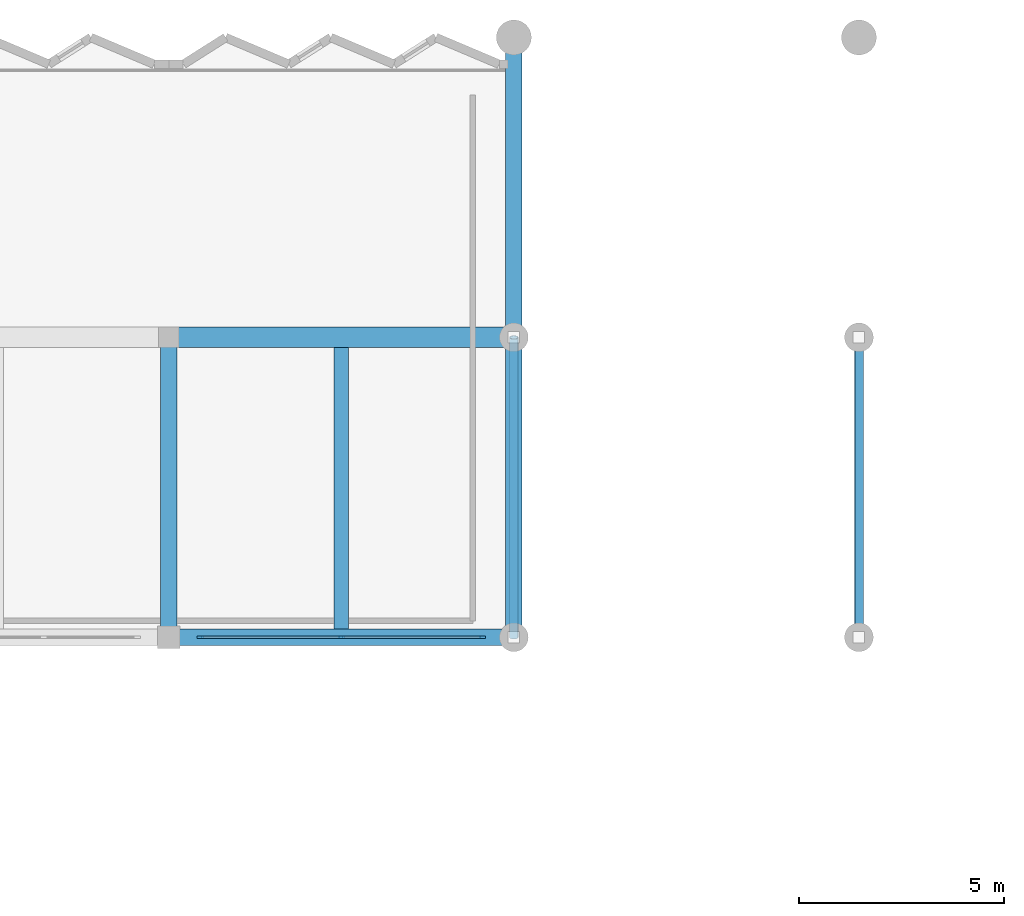
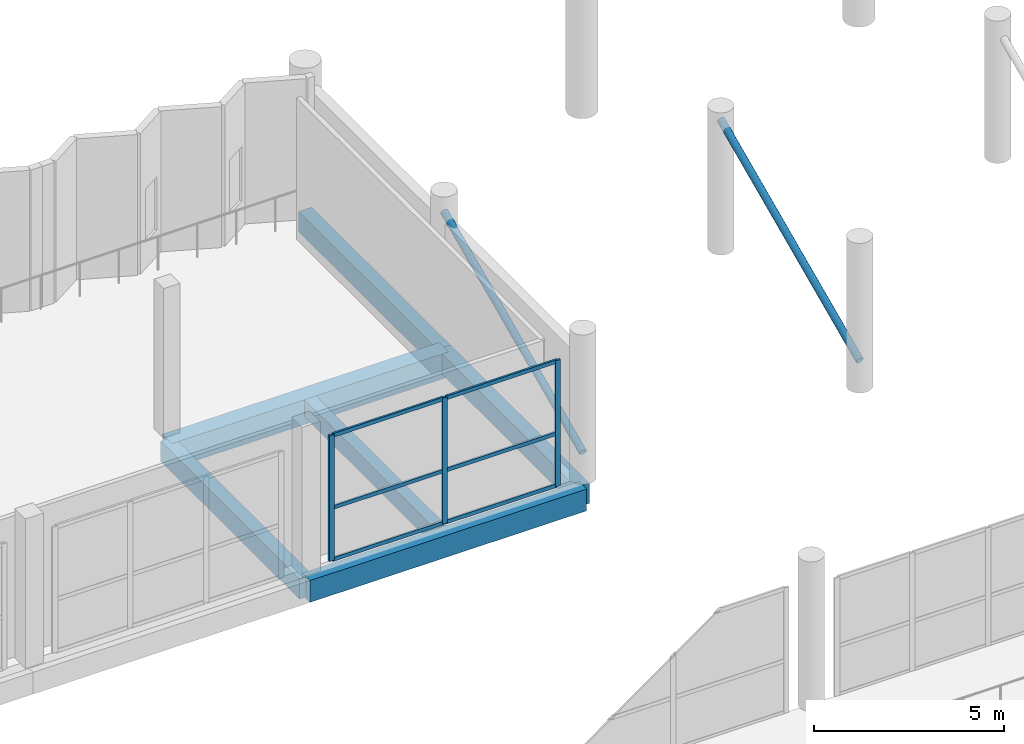
# One storey, part 22 of 47: 11 members, 6 beams, 1 element without a shape of its own.
"""IFC4 building model written with IfcOpenShell, lengths in metres."""

from ifc_helpers import new_model, si_unit, direction, frame, origin, origin_2d, place, context, subcontext, project, spatial, rectangle, hollow_circle, extrude, material, material_profile, profile_set, type_object, element, aggregate, save


model = new_model("IFC4")

# Units and contexts
model_context = context("Model", 3, precision=1e-05, world=origin(), true_north=direction((0.0, 1.0)))
body_context = subcontext(model_context, "Body", "Model", "MODEL_VIEW")
ifc_project = project(units=[si_unit("LENGTHUNIT", "METRE"), si_unit("AREAUNIT", "SQUARE_METRE"), si_unit("VOLUMEUNIT", "CUBIC_METRE"), si_unit("PLANEANGLEUNIT", "RADIAN"), si_unit("MASSUNIT", "GRAM", prefix="KILO")], contexts=[model_context])

# Site, building, storey
site_placement = place(None, origin())
site = spatial("IfcSite", under=ifc_project, at=site_placement, CompositionType="ELEMENT")
building_placement = place(site_placement, origin())
building = spatial("IfcBuilding", under=site, at=building_placement, Name="Vharandega Faculty of Natural Sciences", CompositionType="ELEMENT")
storey_placement = place(building_placement, frame((0.0, 0.0, 5.39990234375)))
storey = spatial("IfcBuildingStorey", under=building, at=storey_placement, Name="L01", CompositionType="ELEMENT", Elevation=5.39990234375)

# Curtain wall, members
ifc_material_1 = material(Name="Aluminium and solar-control glass curtain wall", Category="aluminium")
curtain_wall_type = type_object("IfcCurtainWallType", Name="Unitised Curtain Wall System CW-23", PredefinedType="NOTDEFINED", material=ifc_material_1)
curtain_wall_placement = place(storey_placement, origin())
curtain_wall = element("IfcCurtainWall", 1, at=curtain_wall_placement, inside=storey, type_object=curtain_wall_type, Name="Curtain Wall CW-L01-050", PredefinedType="NOTDEFINED")
ifc_material_2 = material(Name="Thermally broken aluminium 6063-T6", Category="aluminium")
ifc_material_profile_1 = material_profile(ifc_material_2, rectangle(XDim=0.06005859375, YDim=0.159912109375, at=origin_2d()), Name="ALU 60x160")
ifc_profile_set_1 = profile_set([ifc_material_profile_1], Name="Thermally broken aluminium 6063-T6")
member_type_1 = type_object("IfcMemberType", Name="CW Mullion 60x160", PredefinedType="MULLION", material=ifc_profile_set_1)
member_1_placement = place(storey_placement, frame((65.169921875, 97.0, 0.0), z_axis=(0.0, 0.0, 1.0), x_axis=(0.0, 1.0, 0.0)))
member_1 = element("IfcMember", 2, at=member_1_placement, type_object=member_type_1, Name="CW-23 mullion 1", PredefinedType="MULLION", context=body_context, shape_type="SweptSolid", body=[
    extrude(rectangle(XDim=0.06005859375, YDim=0.159912109375, at=origin_2d()), origin(), (0.0, 0.0, 1.0), 4.0400390625),
])
member_2_placement = place(storey_placement, frame((68.60009765625, 97.0, 0.0), z_axis=(0.0, 0.0, 1.0), x_axis=(0.0, 1.0, 0.0)))
member_2 = element("IfcMember", 3, at=member_2_placement, type_object=member_type_1, Name="CW-23 mullion 2", PredefinedType="MULLION", context=body_context, shape_type="SweptSolid", body=[
    extrude(rectangle(XDim=0.06005859375, YDim=0.159912109375, at=origin_2d()), origin(), (0.0, 0.0, 1.0), 4.0400390625),
])
member_3_placement = place(storey_placement, frame((72.030029296875, 97.0, 0.0), z_axis=(0.0, 0.0, 1.0), x_axis=(0.0, 1.0, 0.0)))
member_3 = element("IfcMember", 4, at=member_3_placement, type_object=member_type_1, Name="CW-23 mullion 3", PredefinedType="MULLION", context=body_context, shape_type="SweptSolid", body=[
    extrude(rectangle(XDim=0.06005859375, YDim=0.159912109375, at=origin_2d()), origin(), (0.0, 0.0, 1.0), 4.0400390625),
])
ifc_material_3 = material(Name="Thermally broken aluminium 6063-T6", Category="aluminium")
ifc_material_profile_2 = material_profile(ifc_material_3, rectangle(XDim=0.06005859375, YDim=0.1201171875, at=origin_2d()), Name="ALU 60x120")
ifc_profile_set_2 = profile_set([ifc_material_profile_2], Name="Thermally broken aluminium 6063-T6")
member_type_2 = type_object("IfcMemberType", Name="CW Transom 60x120", PredefinedType="USERDEFINED", material=ifc_profile_set_2)
member_4_placement = place(storey_placement, frame((65.199951171875, 97.0, 0.030029296875), z_axis=(1.0, 0.0, 0.0), x_axis=(0.0, 1.0, 0.0)))
member_4 = element("IfcMember", 5, at=member_4_placement, type_object=member_type_2, Name="CW-23 transom 1.1", ObjectType="TRANSOM", PredefinedType="USERDEFINED", context=body_context, shape_type="SweptSolid", body=[
    extrude(rectangle(XDim=0.06005859375, YDim=0.1201171875, at=origin_2d()), origin(), (0.0, 0.0, 1.0), 3.3701171875),
])
member_5_placement = place(storey_placement, frame((65.199951171875, 97.0, 1.69677734375), z_axis=(1.0, 0.0, 0.0), x_axis=(0.0, 1.0, 0.0)))
member_5 = element("IfcMember", 6, at=member_5_placement, type_object=member_type_2, Name="CW-23 transom 1.2", ObjectType="TRANSOM", PredefinedType="USERDEFINED", context=body_context, shape_type="SweptSolid", body=[
    extrude(rectangle(XDim=0.06005859375, YDim=0.1201171875, at=origin_2d()), origin(), (0.0, 0.0, 1.0), 3.3701171875),
])
member_6_placement = place(storey_placement, frame((65.199951171875, 97.0, 4.010009765625), z_axis=(1.0, 0.0, 0.0), x_axis=(0.0, 1.0, 0.0)))
member_6 = element("IfcMember", 7, at=member_6_placement, type_object=member_type_2, Name="CW-23 transom 1.3", ObjectType="TRANSOM", PredefinedType="USERDEFINED", context=body_context, shape_type="SweptSolid", body=[
    extrude(rectangle(XDim=0.06005859375, YDim=0.1201171875, at=origin_2d()), origin(), (0.0, 0.0, 1.0), 3.3701171875),
])
member_7_placement = place(storey_placement, frame((68.6298828125, 97.0, 0.030029296875), z_axis=(1.0, 0.0, 0.0), x_axis=(0.0, 1.0, 0.0)))
member_7 = element("IfcMember", 8, at=member_7_placement, type_object=member_type_2, Name="CW-23 transom 2.1", ObjectType="TRANSOM", PredefinedType="USERDEFINED", context=body_context, shape_type="SweptSolid", body=[
    extrude(rectangle(XDim=0.06005859375, YDim=0.1201171875, at=origin_2d()), origin(), (0.0, 0.0, 1.0), 3.3701171875),
])
member_8_placement = place(storey_placement, frame((68.6298828125, 97.0, 1.69677734375), z_axis=(1.0, 0.0, 0.0), x_axis=(0.0, 1.0, 0.0)))
member_8 = element("IfcMember", 9, at=member_8_placement, type_object=member_type_2, Name="CW-23 transom 2.2", ObjectType="TRANSOM", PredefinedType="USERDEFINED", context=body_context, shape_type="SweptSolid", body=[
    extrude(rectangle(XDim=0.06005859375, YDim=0.1201171875, at=origin_2d()), origin(), (0.0, 0.0, 1.0), 3.3701171875),
])
member_9_placement = place(storey_placement, frame((68.6298828125, 97.0, 4.010009765625), z_axis=(1.0, 0.0, 0.0), x_axis=(0.0, 1.0, 0.0)))
member_9 = element("IfcMember", 10, at=member_9_placement, type_object=member_type_2, Name="CW-23 transom 2.3", ObjectType="TRANSOM", PredefinedType="USERDEFINED", context=body_context, shape_type="SweptSolid", body=[
    extrude(rectangle(XDim=0.06005859375, YDim=0.1201171875, at=origin_2d()), origin(), (0.0, 0.0, 1.0), 3.3701171875),
])
aggregate(curtain_wall, [member_1, member_2, member_3, member_4, member_5, member_6, member_7, member_8, member_9])

# Beams
ifc_material_4 = material(Name="Concrete C40/50", Category="concrete")
ifc_material_profile_3 = material_profile(ifc_material_4, rectangle(XDim=0.39990234375, YDim=0.64990234375, at=origin_2d()), Name="RC 400x650")
ifc_profile_set_3 = profile_set([ifc_material_profile_3], Name="Concrete C40/50")
beam_type_1 = type_object("IfcBeamType", Name="Podium Floor Beam 400x650", PredefinedType="BEAM", material=ifc_profile_set_3)
for number, where, z_axis, x_axis, name in (
    (11, (64.39990234375, 97.0, -0.5849609375), (0.0, 1.0, 0.0), (-1.0, 0.0, 0.0), "Beam L01 9/N-P"),
    (12, (72.800048828125, 97.0, -0.5849609375), (0.0, 1.0, 0.0), (-1.0, 0.0, 0.0), "Beam L01 10/N-P"),
    (13, (72.800048828125, 104.300048828125, -0.5849609375), (0.0, 1.0, 0.0), (-1.0, 0.0, 0.0), "Beam L01 10/P-Q"),
):
    element("IfcBeam", number, at=place(storey_placement, frame(where, z_axis=z_axis, x_axis=x_axis)), inside=storey, type_object=beam_type_1, Name=name, PredefinedType="BEAM", context=body_context, shape_type="SweptSolid", body=[
        extrude(rectangle(XDim=0.39990234375, YDim=0.64990234375, at=origin_2d()), origin(), (0.0, 0.0, 1.0), 7.300048828125),
    ])
ifc_material_5 = material(Name="Concrete C40/50", Category="concrete")
ifc_material_profile_4 = material_profile(ifc_material_5, rectangle(XDim=0.5, YDim=0.800048828125, at=origin_2d()), Name="RC 500x800")
ifc_profile_set_4 = profile_set([ifc_material_profile_4], Name="Concrete C40/50")
beam_type_2 = type_object("IfcBeamType", Name="Podium Heavy Girder 500x800", PredefinedType="BEAM", material=ifc_profile_set_4)
beam_1_placement = place(storey_placement, frame((64.39990234375, 104.300048828125, -0.659912109375), z_axis=(1.0, 0.0, 0.0), x_axis=(0.0, 1.0, 0.0)))
element("IfcBeam", 14, at=beam_1_placement, inside=storey, type_object=beam_type_2, Name="Beam L01 P/9-10", PredefinedType="BEAM", context=body_context, shape_type="SweptSolid", body=[
    extrude(rectangle(XDim=0.5, YDim=0.800048828125, at=origin_2d()), origin(), (0.0, 0.0, 1.0), 8.400146484375),
])
ifc_material_6 = material(Name="Concrete C40/50", Category="concrete")
ifc_material_profile_5 = material_profile(ifc_material_6, rectangle(XDim=0.35009765625, YDim=0.550048828125, at=origin_2d()), Name="RC 350x550")
ifc_profile_set_5 = profile_set([ifc_material_profile_5], Name="Concrete C40/50")
beam_type_3 = type_object("IfcBeamType", Name="Podium Secondary Beam 350x550", PredefinedType="JOIST", material=ifc_profile_set_5)
beam_2_placement = place(storey_placement, frame((68.60009765625, 97.199951171875, -0.534912109375), z_axis=(0.0, 1.0, 0.0), x_axis=(-1.0, 0.0, 0.0)))
element("IfcBeam", 15, at=beam_2_placement, inside=storey, type_object=beam_type_3, Name="Secondary Joist L01 9-10/N-P", PredefinedType="JOIST", context=body_context, shape_type="SweptSolid", body=[
    extrude(rectangle(XDim=0.35009765625, YDim=0.550048828125, at=origin_2d()), origin(), (0.0, 0.0, 1.0), 6.85009765625),
])
ifc_material_7 = material(Name="Concrete C40/50", Category="concrete")
ifc_material_profile_6 = material_profile(ifc_material_7, rectangle(XDim=0.39990234375, YDim=0.699951171875, at=origin_2d()), Name="RC 400x700")
ifc_profile_set_6 = profile_set([ifc_material_profile_6], Name="Concrete C40/50")
beam_type_4 = type_object("IfcBeamType", Name="Podium Spandrel Beam 400x700", PredefinedType="SPANDREL", material=ifc_profile_set_6)
beam_3_placement = place(storey_placement, frame((64.39990234375, 97.0, -0.60986328125), z_axis=(1.0, 0.0, 0.0), x_axis=(0.0, 1.0, 0.0)))
element("IfcBeam", 16, at=beam_3_placement, inside=storey, type_object=beam_type_4, Name="Beam L01 N/9-10", PredefinedType="SPANDREL", context=body_context, shape_type="SweptSolid", body=[
    extrude(rectangle(XDim=0.39990234375, YDim=0.699951171875, at=origin_2d()), origin(), (0.0, 0.0, 1.0), 8.400146484375),
])

# Members
ifc_material_8 = material(Name="Steel S355", Category="steel")
ifc_material_profile_7 = material_profile(ifc_material_8, hollow_circle(Radius=0.109619140625, WallThickness=0.012451171875, at=origin_2d()), Name="CHS 219.1x12.5")
ifc_profile_set_7 = profile_set([ifc_material_profile_7], Name="Steel S355")
member_type_3 = type_object("IfcMemberType", Name="Portico Canopy Strut CHS 219", PredefinedType="STRUT", material=ifc_profile_set_7)
for number, where, z_axis, x_axis, name in (
    (17, (72.800048828125, 97.0, 0.800048828125), (0.0, 0.911218243751, 0.411923915614), (-1.0, 0.0, 0.0), "Portico Canopy Strut Grid 10"),
    (18, (81.199951171875, 97.0, 0.800048828125), (0.0, 0.911218243751, 0.411923915614), (-1.0, 0.0, 0.0), "Portico Canopy Strut Grid 11"),
):
    element("IfcMember", number, at=place(storey_placement, frame(where, z_axis=z_axis, x_axis=x_axis)), inside=storey, type_object=member_type_3, Name=name, PredefinedType="STRUT", context=body_context, shape_type="SweptSolid", body=[
        extrude(hollow_circle(Radius=0.109619140625, WallThickness=0.012451171875, at=origin_2d()), origin(), (0.0, 0.0, 1.0), 8.01123046875),
    ])

save(model, "model.ifc")
